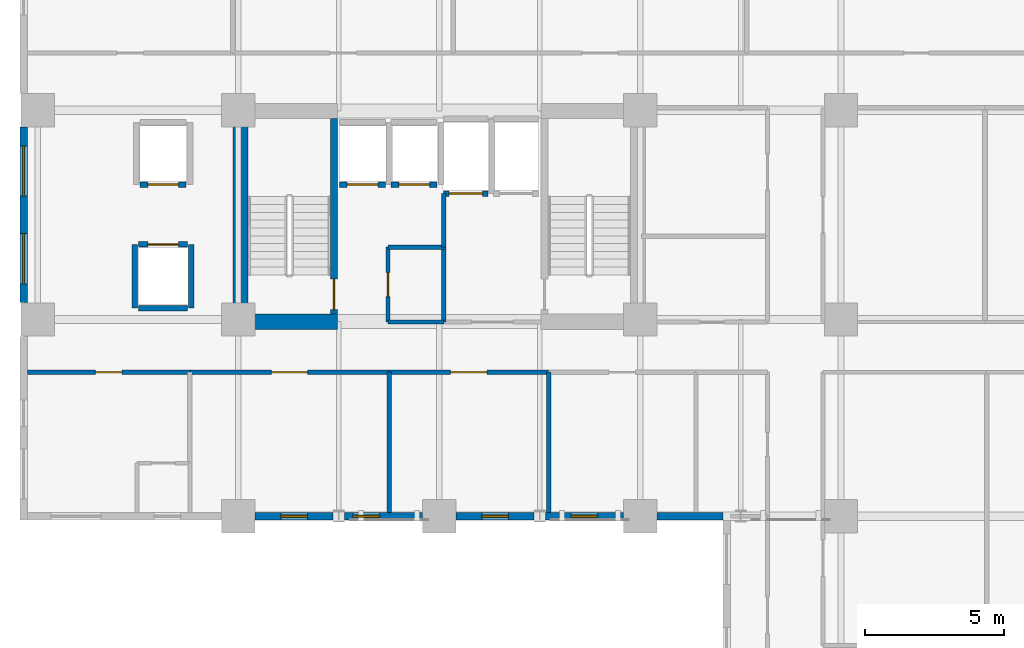
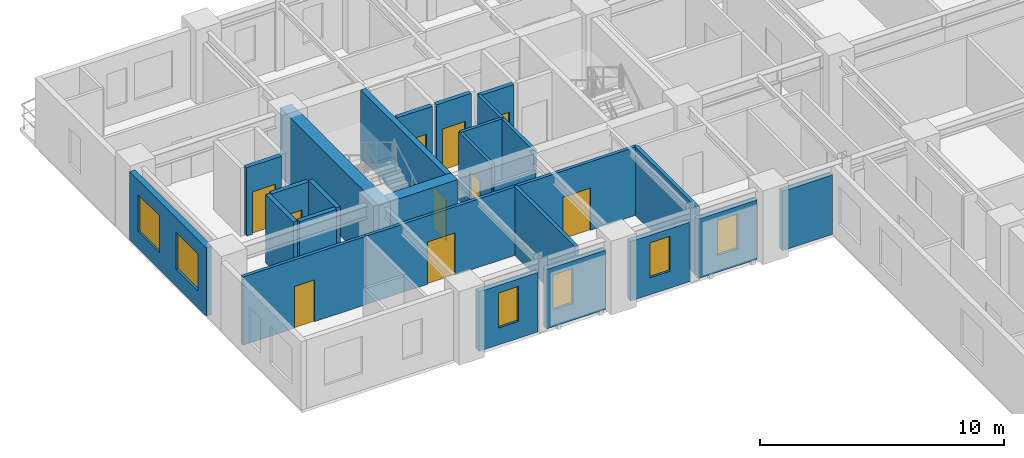
# One storey, part 3 of 11: 27 walls, 10 doors, 6 windows, 16 openings.
"""IFC4 building model written with IfcOpenShell, lengths in metres."""

from ifc_helpers import new_model, si_unit, direction, frame, frame_2d, origin, place, context, subcontext, project, spatial, rectangle, extrude, material, layer, layer_set, type_object, element, fill, save


model = new_model("IFC4")

# Units and contexts
model_context = context("Model", 3, precision=1e-05, world=origin(), true_north=direction((0.0, 1.0)))
body_context = subcontext(model_context, "Body", "Model", "MODEL_VIEW")
ifc_project = project(units=[si_unit("LENGTHUNIT", "METRE"), si_unit("AREAUNIT", "SQUARE_METRE"), si_unit("VOLUMEUNIT", "CUBIC_METRE"), si_unit("PLANEANGLEUNIT", "RADIAN"), si_unit("MASSUNIT", "GRAM", prefix="KILO")], contexts=[model_context])

# Site, building, storey
site_placement = place(None, origin())
site = spatial("IfcSite", under=ifc_project, at=site_placement, CompositionType="ELEMENT")
building_placement = place(site_placement, origin())
building = spatial("IfcBuilding", under=site, at=building_placement, Name="Kaliganga Portal Commons", CompositionType="ELEMENT")
storey_placement = place(building_placement, frame((0.0, 0.0, 104.5)))
storey = spatial("IfcBuildingStorey", under=building, at=storey_placement, Name="L26", CompositionType="ELEMENT", Elevation=104.5)

# Walls
ifc_material_1 = material(Name="Concrete C60/75", Category="concrete")
ifc_layer_1 = layer(ifc_material_1, 0.550048828125)
ifc_layer_set_1 = layer_set([ifc_layer_1], Name="Concrete C60/75")
wall_type_1 = type_object("IfcWallType", Name="WL-CORE-550", PredefinedType="SHEAR", material=ifc_layer_set_1)
wall_1_placement = place(storey_placement, frame((14.47509765625, 28.300048828125, 0.0), z_axis=(0.0, 0.0, 1.0), x_axis=(0.0, 1.0, 0.0)))
element("IfcWall", 1, at=wall_1_placement, inside=storey, type_object=wall_type_1, Name="Core A West Shear Wall L26", PredefinedType="SHEAR", context=body_context, shape_type="SweptSolid", body=[
    extrude(rectangle(XDim=8.099853515625, YDim=0.550048828125, at=frame_2d((4.0498046875, 0.0))), origin(), (0.0, 0.0, 1.0), 3.449951171875),
])
wall_2_placement = place(storey_placement, frame((14.75, 28.574951171875, 0.0), z_axis=(0.0, 0.0, 1.0), x_axis=(1.0, 0.0, 0.0)))
element("IfcWall", 2, at=wall_2_placement, inside=storey, type_object=wall_type_1, Name="Core A S-West Shear Wall L26", PredefinedType="SHEAR", context=body_context, shape_type="SweptSolid", body=[
    extrude(rectangle(XDim=3.199951171875, YDim=0.550048828125, at=frame_2d((1.60009765625, 0.0))), origin(), (0.0, 0.0, 1.0), 3.449951171875),
])

# Wall, openings, windows
ifc_material_2 = material(Name="Insulated Aluminium-Clad Spandrel Assembly", Category="aluminium")
ifc_layer_2 = layer(ifc_material_2, 0.260009765625)
ifc_layer_set_2 = layer_set([ifc_layer_2], Name="Insulated Aluminium-Clad Spandrel Assembly")
wall_type_2 = type_object("IfcWallType", Name="WL-EXT-SPAND-260", PredefinedType="STANDARD", material=ifc_layer_set_2)
wall_3_placement = place(storey_placement, frame((6.699951171875, 29.2509765625, 0.0), z_axis=(0.0, 0.0, 1.0), x_axis=(0.0, 1.0, 0.0)))
wall_3 = element("IfcWall", 3, at=wall_3_placement, inside=storey, type_object=wall_type_2, Name="Exterior Envelope Wall L26 P1-E03-S2", PredefinedType="STANDARD", context=body_context, shape_type="SweptSolid", body=[
    extrude(rectangle(XDim=6.298095703125, YDim=0.260009765625, at=frame_2d((3.14892578125, 0.0))), origin(), (0.0, 0.0, 1.0), 3.429931640625),
])
opening_1_placement = place(wall_3_placement, frame((0.674560546875, 0.0, 0.85009765625)))
opening_1 = element("IfcOpeningElement", 4, at=opening_1_placement, cuts=wall_3, Name="Opening W-01", PredefinedType="OPENING", context=body_context, shape_type="SweptSolid", body=[
    extrude(rectangle(XDim=1.800048828125, YDim=1.85009765625, at=frame_2d((0.89990234375, 0.925048828125))), frame((0.0, 0.14013671875, 0.0), z_axis=(0.0, -1.0, 0.0), x_axis=(1.0, 0.0, 0.0)), (0.0, 0.0, 1.0), 0.280029296875),
])
opening_2_placement = place(wall_3_placement, frame((3.823486328125, 0.0, 0.85009765625)))
opening_2 = element("IfcOpeningElement", 5, at=opening_2_placement, cuts=wall_3, Name="Opening W-01", PredefinedType="OPENING", context=body_context, shape_type="SweptSolid", body=[
    extrude(rectangle(XDim=1.800048828125, YDim=1.85009765625, at=frame_2d((0.89990234375, 0.925048828125))), frame((0.0, 0.14013671875, 0.0), z_axis=(0.0, -1.0, 0.0), x_axis=(1.0, 0.0, 0.0)), (0.0, 0.0, 1.0), 0.280029296875),
])
ifc_material_3 = material(Name="Thermally Broken Aluminium and Low-E Double Glazing", Category="aluminium")
window_type_1 = type_object("IfcWindowType", Name="WIN-STD-1800", PartitioningType="DOUBLE_PANEL_VERTICAL", PredefinedType="WINDOW", material=ifc_material_3)
window_1_placement = place(opening_1_placement, origin())
window_1 = element("IfcWindow", 6, at=window_1_placement, inside=storey, type_object=window_type_1, Name="Facade Window L26-P1E03S2-00", OverallHeight=1.85009765625, OverallWidth=1.800048828125, PartitioningType="SINGLE_PANEL", PredefinedType="WINDOW", context=body_context, shape_type="SweptSolid", body=[
    extrude(rectangle(XDim=1.800048828125, YDim=1.85009765625, at=frame_2d((0.89990234375, 0.925048828125))), frame((0.0, 0.030029296875, 0.0), z_axis=(0.0, -1.0, 0.0), x_axis=(1.0, 0.0, 0.0)), (0.0, 0.0, 1.0), 0.06005859375),
])
fill(opening_1, window_1)
window_2_placement = place(opening_2_placement, origin())
window_2 = element("IfcWindow", 7, at=window_2_placement, inside=storey, type_object=window_type_1, Name="Facade Window L26-P1E03S2-01", OverallHeight=1.85009765625, OverallWidth=1.800048828125, PartitioningType="SINGLE_PANEL", PredefinedType="WINDOW", context=body_context, shape_type="SweptSolid", body=[
    extrude(rectangle(XDim=1.800048828125, YDim=1.85009765625, at=frame_2d((0.89990234375, 0.925048828125))), frame((0.0, 0.030029296875, 0.0), z_axis=(0.0, -1.0, 0.0), x_axis=(1.0, 0.0, 0.0)), (0.0, 0.0, 1.0), 0.06005859375),
])
fill(opening_2, window_2)

# Wall, opening, window
wall_4_placement = place(storey_placement, frame((17.79443359375, 21.60009765625, 0.0), z_axis=(0.0, 0.0, 1.0), x_axis=(-1.0, 0.0, 0.0)))
wall_4 = element("IfcWall", 8, at=wall_4_placement, inside=storey, type_object=wall_type_2, Name="Exterior Envelope Wall L26 P1-E04-S2", PredefinedType="STANDARD", context=body_context, shape_type="SweptSolid", body=[
    extrude(rectangle(XDim=2.79345703125, YDim=0.260009765625, at=frame_2d((1.396728515625, 0.0))), origin(), (0.0, 0.0, 1.0), 2.97998046875),
])
opening_3_placement = place(wall_4_placement, frame((0.921630859375, 0.0, 0.85009765625)))
opening_3 = element("IfcOpeningElement", 9, at=opening_3_placement, cuts=wall_4, Name="Opening W-04", PredefinedType="OPENING", context=body_context, shape_type="SweptSolid", body=[
    extrude(rectangle(XDim=0.949951171875, YDim=1.75, at=frame_2d((0.47509765625, 0.875))), frame((0.0, 0.14013671875, 0.0), z_axis=(0.0, -1.0, 0.0), x_axis=(1.0, 0.0, 0.0)), (0.0, 0.0, 1.0), 0.280029296875),
])
window_type_2 = type_object("IfcWindowType", Name="WIN-NARROW-950", PartitioningType="SINGLE_PANEL", PredefinedType="WINDOW", material=ifc_material_3)
window_3_placement = place(opening_3_placement, origin())
window_3 = element("IfcWindow", 10, at=window_3_placement, inside=storey, type_object=window_type_2, Name="Facade Window L26-P1E04S2-00", OverallHeight=1.75, OverallWidth=0.949951171875, PartitioningType="SINGLE_PANEL", PredefinedType="WINDOW", context=body_context, shape_type="SweptSolid", body=[
    extrude(rectangle(XDim=0.949951171875, YDim=1.75, at=frame_2d((0.47509765625, 0.875))), frame((0.0, 0.030029296875, 0.0), z_axis=(0.0, -1.0, 0.0), x_axis=(1.0, 0.0, 0.0)), (0.0, 0.0, 1.0), 0.06005859375),
])
fill(opening_3, window_3)

wall_5_placement = place(storey_placement, frame((20.9990234375, 21.60009765625, 0.0), z_axis=(0.0, 0.0, 1.0), x_axis=(-1.0, 0.0, 0.0)))
wall_5 = element("IfcWall", 11, at=wall_5_placement, inside=storey, type_object=wall_type_2, Name="Exterior Envelope Wall L26 P1-E04-S3", PredefinedType="STANDARD", context=body_context, shape_type="SweptSolid", body=[
    extrude(rectangle(XDim=2.79345703125, YDim=0.260009765625, at=frame_2d((1.396728515625, 0.0))), origin(), (0.0, 0.0, 1.0), 2.97998046875),
])
opening_4_placement = place(wall_5_placement, frame((1.536376953125, 0.0, 0.85009765625)))
opening_4 = element("IfcOpeningElement", 12, at=opening_4_placement, cuts=wall_5, Name="Opening W-04", PredefinedType="OPENING", context=body_context, shape_type="SweptSolid", body=[
    extrude(rectangle(XDim=0.949951171875, YDim=1.75, at=frame_2d((0.47509765625, 0.875))), frame((0.0, 0.14013671875, 0.0), z_axis=(0.0, -1.0, 0.0), x_axis=(1.0, 0.0, 0.0)), (0.0, 0.0, 1.0), 0.280029296875),
])
window_4_placement = place(opening_4_placement, origin())
window_4 = element("IfcWindow", 13, at=window_4_placement, inside=storey, type_object=window_type_2, Name="Facade Window L26-P1E04S3-N4", OverallHeight=1.75, OverallWidth=0.949951171875, PartitioningType="SINGLE_PANEL", PredefinedType="WINDOW", context=body_context, shape_type="SweptSolid", body=[
    extrude(rectangle(XDim=0.949951171875, YDim=1.75, at=frame_2d((0.47509765625, 0.875))), frame((0.0, 0.030029296875, 0.0), z_axis=(0.0, -1.0, 0.0), x_axis=(1.0, 0.0, 0.0)), (0.0, 0.0, 1.0), 0.06005859375),
])
fill(opening_4, window_4)

wall_6_placement = place(storey_placement, frame((24.994384765625, 21.60009765625, 0.0), z_axis=(0.0, 0.0, 1.0), x_axis=(-1.0, 0.0, 0.0)))
wall_6 = element("IfcWall", 14, at=wall_6_placement, inside=storey, type_object=wall_type_2, Name="Exterior Envelope Wall L26 P1-E04-S4", PredefinedType="STANDARD", context=body_context, shape_type="SweptSolid", body=[
    extrude(rectangle(XDim=2.79345703125, YDim=0.260009765625, at=frame_2d((1.396728515625, 0.0))), origin(), (0.0, 0.0, 1.0), 2.97998046875),
])
opening_5_placement = place(wall_6_placement, frame((0.921630859375, 0.0, 0.85009765625)))
opening_5 = element("IfcOpeningElement", 15, at=opening_5_placement, cuts=wall_6, Name="Opening W-04", PredefinedType="OPENING", context=body_context, shape_type="SweptSolid", body=[
    extrude(rectangle(XDim=0.949951171875, YDim=1.75, at=frame_2d((0.47509765625, 0.875))), frame((0.0, 0.14013671875, 0.0), z_axis=(0.0, -1.0, 0.0), x_axis=(1.0, 0.0, 0.0)), (0.0, 0.0, 1.0), 0.280029296875),
])
window_5_placement = place(opening_5_placement, origin())
window_5 = element("IfcWindow", 16, at=window_5_placement, inside=storey, type_object=window_type_2, Name="Facade Window L26-P1E04S4-00", OverallHeight=1.75, OverallWidth=0.949951171875, PartitioningType="SINGLE_PANEL", PredefinedType="WINDOW", context=body_context, shape_type="SweptSolid", body=[
    extrude(rectangle(XDim=0.949951171875, YDim=1.75, at=frame_2d((0.47509765625, 0.875))), frame((0.0, 0.030029296875, 0.0), z_axis=(0.0, -1.0, 0.0), x_axis=(1.0, 0.0, 0.0)), (0.0, 0.0, 1.0), 0.06005859375),
])
fill(opening_5, window_5)

wall_7_placement = place(storey_placement, frame((28.198974609375, 21.60009765625, 0.0), z_axis=(0.0, 0.0, 1.0), x_axis=(-1.0, 0.0, 0.0)))
wall_7 = element("IfcWall", 17, at=wall_7_placement, inside=storey, type_object=wall_type_2, Name="Exterior Envelope Wall L26 P1-E04-S5", PredefinedType="STANDARD", context=body_context, shape_type="SweptSolid", body=[
    extrude(rectangle(XDim=2.79345703125, YDim=0.260009765625, at=frame_2d((1.396728515625, 0.0))), origin(), (0.0, 0.0, 1.0), 2.97998046875),
])
opening_6_placement = place(wall_7_placement, frame((0.921875, 0.0, 0.85009765625)))
opening_6 = element("IfcOpeningElement", 18, at=opening_6_placement, cuts=wall_7, Name="Opening W-04", PredefinedType="OPENING", context=body_context, shape_type="SweptSolid", body=[
    extrude(rectangle(XDim=0.949951171875, YDim=1.75, at=frame_2d((0.47509765625, 0.875))), frame((0.0, 0.14013671875, 0.0), z_axis=(0.0, -1.0, 0.0), x_axis=(1.0, 0.0, 0.0)), (0.0, 0.0, 1.0), 0.280029296875),
])
window_6_placement = place(opening_6_placement, origin())
window_6 = element("IfcWindow", 19, at=window_6_placement, inside=storey, type_object=window_type_2, Name="Facade Window L26-P1E04S5-00", OverallHeight=1.75, OverallWidth=0.949951171875, PartitioningType="SINGLE_PANEL", PredefinedType="WINDOW", context=body_context, shape_type="SweptSolid", body=[
    extrude(rectangle(XDim=0.949951171875, YDim=1.75, at=frame_2d((0.47509765625, 0.875))), frame((0.0, 0.030029296875, 0.0), z_axis=(0.0, -1.0, 0.0), x_axis=(1.0, 0.0, 0.0)), (0.0, 0.0, 1.0), 0.06005859375),
])
fill(opening_6, window_6)

# Wall
wall_8_placement = place(storey_placement, frame((31.764892578125, 21.60009765625, 0.0), z_axis=(0.0, 0.0, 1.0), x_axis=(-1.0, 0.0, 0.0)))
element("IfcWall", 20, at=wall_8_placement, inside=storey, type_object=wall_type_2, Name="Exterior Envelope Wall L26 P1-E04-S6", PredefinedType="STANDARD", context=body_context, shape_type="SweptSolid", body=[
    extrude(rectangle(XDim=2.364013671875, YDim=0.260009765625, at=frame_2d((1.18212890625, 0.0))), origin(), (0.0, 0.0, 1.0), 2.97998046875),
])

# Wall, opening, door
ifc_material_4 = material(Name="Fire-Rated Gypsum Board on Steel Stud", Category="steel")
ifc_layer_3 = layer(ifc_material_4, 0.14990234375)
ifc_layer_set_3 = layer_set([ifc_layer_3], Name="Fire-Rated Gypsum Board on Steel Stud")
wall_type_3 = type_object("IfcWallType", Name="WL-PART-CORR-150", PredefinedType="PARTITIONING", material=ifc_layer_set_3)
wall_9_placement = place(storey_placement, frame((12.659912109375, 26.760009765625, 0.0), z_axis=(0.0, 0.0, 1.0), x_axis=(1.0, 0.0, 0.0)))
wall_9 = element("IfcWall", 21, at=wall_9_placement, inside=storey, type_object=wall_type_3, Name="Interior Partition L26-022", PredefinedType="PARTITIONING", context=body_context, shape_type="SweptSolid", body=[
    extrude(rectangle(XDim=7.14013671875, YDim=0.14990234375, at=frame_2d((3.570068359375, 0.0))), origin(), (0.0, 0.0, 1.0), 3.429931640625),
])
opening_7_placement = place(wall_9_placement, frame((2.919921875, 0.0, 0.0)))
opening_7 = element("IfcOpeningElement", 22, at=opening_7_placement, cuts=wall_9, Name="Opening RD-03", PredefinedType="OPENING", context=body_context, shape_type="SweptSolid", body=[
    extrude(rectangle(XDim=1.300048828125, YDim=2.1201171875, at=frame_2d((0.64990234375, 1.06005859375))), frame((0.0, 0.0849609375, 0.0), z_axis=(0.0, -1.0, 0.0), x_axis=(1.0, 0.0, 0.0)), (0.0, 0.0, 1.0), 0.169921875),
])
ifc_material_5 = material(Name="Glazed Timber Seminar Vision Door", Category="wood")
door_type_1 = type_object("IfcDoorType", Name="DR-STUDY-1300", OperationType="DOUBLE_DOOR_SINGLE_SWING", PredefinedType="DOOR", material=ifc_material_5)
door_1_placement = place(opening_7_placement, origin())
door_1 = element("IfcDoor", 23, at=door_1_placement, inside=storey, type_object=door_type_1, Name="Interior Door L26-AS02", OperationType="DOUBLE_DOOR_SINGLE_SWING", OverallHeight=2.1201171875, OverallWidth=1.300048828125, PredefinedType="DOOR", context=body_context, shape_type="SweptSolid", body=[
    extrude(rectangle(XDim=1.300048828125, YDim=2.1201171875, at=frame_2d((0.64990234375, 1.06005859375))), frame((0.0, 0.02490234375, 0.0), z_axis=(0.0, -1.0, 0.0), x_axis=(1.0, 0.0, 0.0)), (0.0, 0.0, 1.0), 0.050048828125),
])
fill(opening_7, door_1)

wall_10_placement = place(storey_placement, frame((6.83203125, 26.760009765625, 0.0), z_axis=(0.0, 0.0, 1.0), x_axis=(1.0, 0.0, 0.0)))
wall_10 = element("IfcWall", 24, at=wall_10_placement, inside=storey, type_object=wall_type_3, Name="Interior Partition L26-025", PredefinedType="PARTITIONING", context=body_context, shape_type="SweptSolid", body=[
    extrude(rectangle(XDim=5.827880859375, YDim=0.14990234375, at=frame_2d((2.9140625, 0.0))), origin(), (0.0, 0.0, 1.0), 3.429931640625),
])
opening_8_placement = place(wall_10_placement, frame((2.43896484375, 0.0, 0.0)))
opening_8 = element("IfcOpeningElement", 25, at=opening_8_placement, cuts=wall_10, Name="Opening UD-01", PredefinedType="OPENING", context=body_context, shape_type="SweptSolid", body=[
    extrude(rectangle(XDim=0.949951171875, YDim=2.10009765625, at=frame_2d((0.47509765625, 1.050048828125))), frame((0.0, 0.0849609375, 0.0), z_axis=(0.0, -1.0, 0.0), x_axis=(1.0, 0.0, 0.0)), (0.0, 0.0, 1.0), 0.169921875),
])
ifc_material_6 = material(Name="Solid-Core Timber Acoustic Fire Door", Category="wood")
door_type_2 = type_object("IfcDoorType", Name="DR-UNIT-950", OperationType="NOTDEFINED", PredefinedType="DOOR", material=ifc_material_6)
door_2_placement = place(opening_8_placement, origin())
door_2 = element("IfcDoor", 26, at=door_2_placement, inside=storey, type_object=door_type_2, Name="Interior Door L26-AS01", OperationType="SINGLE_SWING_LEFT", OverallHeight=2.10009765625, OverallWidth=0.949951171875, PredefinedType="DOOR", context=body_context, shape_type="SweptSolid", body=[
    extrude(rectangle(XDim=0.949951171875, YDim=2.10009765625, at=frame_2d((0.47509765625, 1.050048828125))), frame((0.0, 0.02490234375, 0.0), z_axis=(0.0, -1.0, 0.0), x_axis=(1.0, 0.0, 0.0)), (0.0, 0.0, 1.0), 0.050048828125),
])
fill(opening_8, door_2)

wall_11_placement = place(storey_placement, frame((19.800048828125, 26.760009765625, 0.0), z_axis=(0.0, 0.0, 1.0), x_axis=(1.0, 0.0, 0.0)))
wall_11 = element("IfcWall", 27, at=wall_11_placement, inside=storey, type_object=wall_type_3, Name="Interior Partition L26-028", PredefinedType="PARTITIONING", context=body_context, shape_type="SweptSolid", body=[
    extrude(rectangle(XDim=5.719970703125, YDim=0.14990234375, at=frame_2d((2.85986328125, 0.0))), origin(), (0.0, 0.0, 1.0), 3.429931640625),
])
opening_9_placement = place(wall_11_placement, frame((2.2099609375, 0.0, 0.0)))
opening_9 = element("IfcOpeningElement", 28, at=opening_9_placement, cuts=wall_11, Name="Opening RD-03", PredefinedType="OPENING", context=body_context, shape_type="SweptSolid", body=[
    extrude(rectangle(XDim=1.300048828125, YDim=2.1201171875, at=frame_2d((0.64990234375, 1.06005859375))), frame((0.0, 0.0849609375, 0.0), z_axis=(0.0, -1.0, 0.0), x_axis=(1.0, 0.0, 0.0)), (0.0, 0.0, 1.0), 0.169921875),
])
door_3_placement = place(opening_9_placement, origin())
door_3 = element("IfcDoor", 29, at=door_3_placement, inside=storey, type_object=door_type_1, Name="Interior Door L26-AS03", OperationType="DOUBLE_DOOR_SINGLE_SWING", OverallHeight=2.1201171875, OverallWidth=1.300048828125, PredefinedType="DOOR", context=body_context, shape_type="SweptSolid", body=[
    extrude(rectangle(XDim=1.300048828125, YDim=2.1201171875, at=frame_2d((0.64990234375, 1.06005859375))), frame((0.0, 0.02490234375, 0.0), z_axis=(0.0, -1.0, 0.0), x_axis=(1.0, 0.0, 0.0)), (0.0, 0.0, 1.0), 0.050048828125),
])
fill(opening_9, door_3)

wall_12_placement = place(storey_placement, frame((19.760009765625, 28.56005859375, 0.0), z_axis=(0.0, 0.0, 1.0), x_axis=(0.0, 1.0, 0.0)))
wall_12 = element("IfcWall", 30, at=wall_12_placement, inside=storey, type_object=wall_type_3, Name="Interior Partition L26-040", PredefinedType="PARTITIONING", context=body_context, shape_type="SweptSolid", body=[
    extrude(rectangle(XDim=2.679931640625, YDim=0.14990234375, at=frame_2d((1.33984375, 0.0))), origin(), (0.0, 0.0, 1.0), 3.429931640625),
])
opening_10_placement = place(wall_12_placement, frame((0.909912109375, 0.0, 0.0)))
opening_10 = element("IfcOpeningElement", 31, at=opening_10_placement, cuts=wall_12, Name="Opening WD-02", PredefinedType="OPENING", context=body_context, shape_type="SweptSolid", body=[
    extrude(rectangle(XDim=0.860107421875, YDim=2.02001953125, at=frame_2d((0.43017578125, 1.010009765625))), frame((0.0, 0.0849609375, 0.0), z_axis=(0.0, -1.0, 0.0), x_axis=(1.0, 0.0, 0.0)), (0.0, 0.0, 1.0), 0.169921875),
])
ifc_material_7 = material(Name="Fire-Rated Utility Closet Door", Category="wood")
door_type_3 = type_object("IfcDoorType", Name="DR-STORE-800", OperationType="NOTDEFINED", PredefinedType="DOOR", material=ifc_material_7)
door_4_placement = place(opening_10_placement, origin())
door_4 = element("IfcDoor", 32, at=door_4_placement, inside=storey, type_object=door_type_3, Name="Interior Door L26-CIN_A1", OperationType="SINGLE_SWING_LEFT", OverallHeight=2.02001953125, OverallWidth=0.860107421875, PredefinedType="DOOR", context=body_context, shape_type="SweptSolid", body=[
    extrude(rectangle(XDim=0.860107421875, YDim=2.02001953125, at=frame_2d((0.43017578125, 1.010009765625))), frame((0.0, 0.02490234375, 0.0), z_axis=(0.0, -1.0, 0.0), x_axis=(1.0, 0.0, 0.0)), (0.0, 0.0, 1.0), 0.050048828125),
])
fill(opening_10, door_4)

# Walls
wall_13_placement = place(storey_placement, frame((21.760009765625, 28.56005859375, 0.0), z_axis=(0.0, 0.0, 1.0), x_axis=(0.0, 1.0, 0.0)))
element("IfcWall", 33, at=wall_13_placement, inside=storey, type_object=wall_type_3, Name="Interior Partition L26-041", PredefinedType="PARTITIONING", context=body_context, shape_type="SweptSolid", body=[
    extrude(rectangle(XDim=2.679931640625, YDim=0.14990234375, at=frame_2d((1.33984375, 0.0))), origin(), (0.0, 0.0, 1.0), 3.429931640625),
])
wall_14_placement = place(storey_placement, frame((19.760009765625, 28.56005859375, 0.0), z_axis=(0.0, 0.0, 1.0), x_axis=(1.0, 0.0, 0.0)))
element("IfcWall", 34, at=wall_14_placement, inside=storey, type_object=wall_type_3, Name="Interior Partition L26-044", PredefinedType="PARTITIONING", context=body_context, shape_type="SweptSolid", body=[
    extrude(rectangle(XDim=2.0, YDim=0.14990234375, at=frame_2d((1.0, 0.0))), origin(), (0.0, 0.0, 1.0), 2.429931640625),
])
wall_15_placement = place(storey_placement, frame((19.760009765625, 31.239990234375, 0.0), z_axis=(0.0, 0.0, 1.0), x_axis=(1.0, 0.0, 0.0)))
element("IfcWall", 35, at=wall_15_placement, inside=storey, type_object=wall_type_3, Name="Interior Partition L26-045", PredefinedType="PARTITIONING", context=body_context, shape_type="SweptSolid", body=[
    extrude(rectangle(XDim=2.0, YDim=0.14990234375, at=frame_2d((1.0, 0.0))), origin(), (0.0, 0.0, 1.0), 3.429931640625),
])
wall_16_placement = place(storey_placement, frame((21.760009765625, 31.239990234375, 0.0), z_axis=(0.0, 0.0, 1.0), x_axis=(0.0, 1.0, 0.0)))
element("IfcWall", 36, at=wall_16_placement, inside=storey, type_object=wall_type_3, Name="Interior Partition L26-079", PredefinedType="PARTITIONING", context=body_context, shape_type="SweptSolid", body=[
    extrude(rectangle(XDim=1.919921875, YDim=0.14990234375, at=frame_2d((0.9599609375, 0.0))), origin(), (0.0, 0.0, 1.0), 3.429931640625),
])
ifc_material_8 = material(Name="Twin-Stud Acoustic Gypsum Partition", Category="gypsum")
ifc_layer_4 = layer(ifc_material_8, 0.1650390625)
ifc_layer_set_4 = layer_set([ifc_layer_4], Name="Twin-Stud Acoustic Gypsum Partition")
wall_type_4 = type_object("IfcWallType", Name="WL-PART-UNIT-165", PredefinedType="PARTITIONING", material=ifc_layer_set_4)
for number, where, z_axis, x_axis, name in (
    (37, (19.800048828125, 21.73193359375, 0.0), (0.0, 0.0, 1.0), (0.0, 1.0, 0.0), "Interior Partition L26-062"),
    (38, (25.52001953125, 21.73193359375, 0.0), (0.0, 0.0, 1.0), (0.0, 1.0, 0.0), "Interior Partition L26-063"),
):
    element("IfcWall", number, at=place(storey_placement, frame(where, z_axis=z_axis, x_axis=x_axis)), inside=storey, type_object=wall_type_4, Name=name, PredefinedType="PARTITIONING", context=body_context, shape_type="SweptSolid", body=[
        extrude(rectangle(XDim=5.028076171875, YDim=0.1650390625, at=frame_2d((2.51416015625, 0.0))), origin(), (0.0, 0.0, 1.0), 3.429931640625),
    ])

# Wall, opening, door
ifc_material_9 = material(Name="Fire-Rated Shaftwall Masonry Assembly", Category="masonry")
ifc_layer_5 = layer(ifc_material_9, 0.199951171875)
ifc_layer_set_5 = layer_set([ifc_layer_5], Name="Fire-Rated Shaftwall Masonry Assembly")
wall_type_5 = type_object("IfcWallType", Name="WL-SHAFT-200", PredefinedType="PARTITIONING", material=ifc_layer_set_5)
wall_17_placement = place(storey_placement, frame((18.02490234375, 33.485107421875, 0.0), z_axis=(0.0, 0.0, 1.0), x_axis=(1.0, 0.0, 0.0)))
wall_17 = element("IfcWall", 39, at=wall_17_placement, inside=storey, type_object=wall_type_5, Name="Lift PL-A1 Hoistway Shaft Wall L26-S", PredefinedType="PARTITIONING", context=body_context, shape_type="SweptSolid", body=[
    extrude(rectangle(XDim=1.650146484375, YDim=0.199951171875, at=frame_2d((0.8251953125, 0.0))), origin(), (0.0, 0.0, 1.0), 3.429931640625),
])
opening_11_placement = place(wall_17_placement, frame((0.27490234375, 0.0, 0.0)))
opening_11 = element("IfcOpeningElement", 40, at=opening_11_placement, cuts=wall_17, Name="Opening LD-01", PredefinedType="OPENING", context=body_context, shape_type="SweptSolid", body=[
    extrude(rectangle(XDim=1.10009765625, YDim=2.1201171875, at=frame_2d((0.550048828125, 1.06005859375))), frame((0.0, 0.10986328125, 0.0), z_axis=(0.0, -1.0, 0.0), x_axis=(1.0, 0.0, 0.0)), (0.0, 0.0, 1.0), 0.219970703125),
])
ifc_material_10 = material(Name="Brushed Stainless Steel 316 Lift Landing Door", Category="steel")
door_type_4 = type_object("IfcDoorType", Name="DR-LIFT-1100", OperationType="SLIDING_TO_LEFT", PredefinedType="DOOR", material=ifc_material_10)
door_5_placement = place(opening_11_placement, origin())
door_5 = element("IfcDoor", 41, at=door_5_placement, inside=storey, type_object=door_type_4, Name="Lift PL-A1 Sliding Landing Door L26", OperationType="SLIDING_TO_LEFT", OverallHeight=2.1201171875, OverallWidth=1.10009765625, PredefinedType="DOOR", context=body_context, shape_type="SweptSolid", body=[
    extrude(rectangle(XDim=1.10009765625, YDim=2.1201171875, at=frame_2d((0.550048828125, 1.06005859375))), frame((0.0, 0.02490234375, 0.0), z_axis=(0.0, -1.0, 0.0), x_axis=(1.0, 0.0, 0.0)), (0.0, 0.0, 1.0), 0.050048828125),
])
fill(opening_11, door_5)

wall_18_placement = place(storey_placement, frame((19.875, 33.485107421875, 0.0), z_axis=(0.0, 0.0, 1.0), x_axis=(1.0, 0.0, 0.0)))
wall_18 = element("IfcWall", 42, at=wall_18_placement, inside=storey, type_object=wall_type_5, Name="Lift PL-A2 Hoistway Shaft Wall L26-S", PredefinedType="PARTITIONING", context=body_context, shape_type="SweptSolid", body=[
    extrude(rectangle(XDim=1.64990234375, YDim=0.199951171875, at=frame_2d((0.824951171875, 0.0))), origin(), (0.0, 0.0, 1.0), 3.429931640625),
])
opening_12_placement = place(wall_18_placement, frame((0.27490234375, 0.0, 0.0)))
opening_12 = element("IfcOpeningElement", 43, at=opening_12_placement, cuts=wall_18, Name="Opening LD-01", PredefinedType="OPENING", context=body_context, shape_type="SweptSolid", body=[
    extrude(rectangle(XDim=1.10009765625, YDim=2.1201171875, at=frame_2d((0.550048828125, 1.06005859375))), frame((0.0, 0.10986328125, 0.0), z_axis=(0.0, -1.0, 0.0), x_axis=(1.0, 0.0, 0.0)), (0.0, 0.0, 1.0), 0.219970703125),
])
door_6_placement = place(opening_12_placement, origin())
door_6 = element("IfcDoor", 44, at=door_6_placement, inside=storey, type_object=door_type_4, Name="Lift PL-A2 Sliding Landing Door L26", OperationType="SLIDING_TO_LEFT", OverallHeight=2.1201171875, OverallWidth=1.10009765625, PredefinedType="DOOR", context=body_context, shape_type="SweptSolid", body=[
    extrude(rectangle(XDim=1.10009765625, YDim=2.1201171875, at=frame_2d((0.550048828125, 1.06005859375))), frame((0.0, 0.02490234375, 0.0), z_axis=(0.0, -1.0, 0.0), x_axis=(1.0, 0.0, 0.0)), (0.0, 0.0, 1.0), 0.050048828125),
])
fill(opening_12, door_6)

# Wall
wall_19_placement = place(storey_placement, frame((10.824951171875, 29.06005859375, 0.0), z_axis=(0.0, 0.0, 1.0), x_axis=(1.0, 0.0, 0.0)))
element("IfcWall", 45, at=wall_19_placement, inside=storey, type_object=wall_type_5, Name="Lift SH-1 Hoistway Shaft Wall L26-S", PredefinedType="PARTITIONING", context=body_context, shape_type="SweptSolid", body=[
    extrude(rectangle(XDim=1.75, YDim=0.199951171875, at=frame_2d((0.875, 0.0))), origin(), (0.0, 0.0, 1.0), 3.429931640625),
])

# Wall, opening, door
wall_20_placement = place(storey_placement, frame((10.824951171875, 31.340087890625, 0.0), z_axis=(0.0, 0.0, 1.0), x_axis=(1.0, 0.0, 0.0)))
wall_20 = element("IfcWall", 46, at=wall_20_placement, inside=storey, type_object=wall_type_5, Name="Lift SH-1 Hoistway Shaft Wall L26-N", PredefinedType="PARTITIONING", context=body_context, shape_type="SweptSolid", body=[
    extrude(rectangle(XDim=1.75, YDim=0.199951171875, at=frame_2d((0.875, 0.0))), origin(), (0.0, 0.0, 1.0), 3.429931640625),
])
opening_13_placement = place(wall_20_placement, frame((0.324951171875, 0.0, 0.0)))
opening_13 = element("IfcOpeningElement", 47, at=opening_13_placement, cuts=wall_20, Name="Opening LD-01", PredefinedType="OPENING", context=body_context, shape_type="SweptSolid", body=[
    extrude(rectangle(XDim=1.10009765625, YDim=2.1201171875, at=frame_2d((0.550048828125, 1.06005859375))), frame((0.0, 0.10986328125, 0.0), z_axis=(0.0, -1.0, 0.0), x_axis=(1.0, 0.0, 0.0)), (0.0, 0.0, 1.0), 0.219970703125),
])
door_7_placement = place(opening_13_placement, origin())
door_7 = element("IfcDoor", 48, at=door_7_placement, inside=storey, type_object=door_type_4, Name="Lift SH-1 Sliding Landing Door L26", OperationType="SLIDING_TO_LEFT", OverallHeight=2.1201171875, OverallWidth=1.10009765625, PredefinedType="DOOR", context=body_context, shape_type="SweptSolid", body=[
    extrude(rectangle(XDim=1.10009765625, YDim=2.1201171875, at=frame_2d((0.550048828125, 1.06005859375))), frame((0.0, 0.02490234375, 0.0), z_axis=(0.0, -1.0, 0.0), x_axis=(1.0, 0.0, 0.0)), (0.0, 0.0, 1.0), 0.050048828125),
])
fill(opening_13, door_7)

# Walls
for number, where, z_axis, x_axis, name in (
    (49, (10.68505859375, 29.06005859375, 0.0), (0.0, 0.0, 1.0), (0.0, 1.0, 0.0), "Lift SH-1 Hoistway Shaft Wall L26-W"),
    (50, (12.715087890625, 29.06005859375, 0.0), (0.0, 0.0, 1.0), (0.0, 1.0, 0.0), "Lift SH-1 Hoistway Shaft Wall L26-E"),
):
    element("IfcWall", number, at=place(storey_placement, frame(where, z_axis=z_axis, x_axis=x_axis)), inside=storey, type_object=wall_type_5, Name=name, PredefinedType="PARTITIONING", context=body_context, shape_type="SweptSolid", body=[
        extrude(rectangle(XDim=2.280029296875, YDim=0.199951171875, at=frame_2d((1.14013671875, 0.0))), origin(), (0.0, 0.0, 1.0), 3.429931640625),
    ])

# Wall, opening, door
wall_21_placement = place(storey_placement, frame((10.875, 33.485107421875, 0.0), z_axis=(0.0, 0.0, 1.0), x_axis=(1.0, 0.0, 0.0)))
wall_21 = element("IfcWall", 51, at=wall_21_placement, inside=storey, type_object=wall_type_5, Name="Lift PL-OBS Hoistway Shaft Wall L26-S", PredefinedType="PARTITIONING", context=body_context, shape_type="SweptSolid", body=[
    extrude(rectangle(XDim=1.64990234375, YDim=0.199951171875, at=frame_2d((0.824951171875, 0.0))), origin(), (0.0, 0.0, 1.0), 3.429931640625),
])
opening_14_placement = place(wall_21_placement, frame((0.27490234375, 0.0, 0.0)))
opening_14 = element("IfcOpeningElement", 52, at=opening_14_placement, cuts=wall_21, Name="Opening LD-01", PredefinedType="OPENING", context=body_context, shape_type="SweptSolid", body=[
    extrude(rectangle(XDim=1.10009765625, YDim=2.1201171875, at=frame_2d((0.550048828125, 1.06005859375))), frame((0.0, 0.10986328125, 0.0), z_axis=(0.0, -1.0, 0.0), x_axis=(1.0, 0.0, 0.0)), (0.0, 0.0, 1.0), 0.219970703125),
])
door_8_placement = place(opening_14_placement, origin())
door_8 = element("IfcDoor", 53, at=door_8_placement, inside=storey, type_object=door_type_4, Name="Lift PL-OBS Sliding Landing Door L26", OperationType="SLIDING_TO_LEFT", OverallHeight=2.1201171875, OverallWidth=1.10009765625, PredefinedType="DOOR", context=body_context, shape_type="SweptSolid", body=[
    extrude(rectangle(XDim=1.10009765625, YDim=2.1201171875, at=frame_2d((0.550048828125, 1.06005859375))), frame((0.0, 0.02490234375, 0.0), z_axis=(0.0, -1.0, 0.0), x_axis=(1.0, 0.0, 0.0)), (0.0, 0.0, 1.0), 0.050048828125),
])
fill(opening_14, door_8)

wall_22_placement = place(storey_placement, frame((21.75, 33.159912109375, 0.0), z_axis=(0.0, 0.0, 1.0), x_axis=(1.0, 0.0, 0.0)))
wall_22 = element("IfcWall", 54, at=wall_22_placement, inside=storey, type_object=wall_type_5, Name="Lift FFL-1 Hoistway Shaft Wall L26-S", PredefinedType="PARTITIONING", context=body_context, shape_type="SweptSolid", body=[
    extrude(rectangle(XDim=1.60009765625, YDim=0.199951171875, at=frame_2d((0.800048828125, 0.0))), origin(), (0.0, 0.0, 1.0), 3.429931640625),
])
opening_15_placement = place(wall_22_placement, frame((0.199951171875, 0.0, 0.0)))
opening_15 = element("IfcOpeningElement", 55, at=opening_15_placement, cuts=wall_22, Name="Opening LD-02", PredefinedType="OPENING", context=body_context, shape_type="SweptSolid", body=[
    extrude(rectangle(XDim=1.199951171875, YDim=2.1201171875, at=frame_2d((0.60009765625, 1.06005859375))), frame((0.0, 0.10986328125, 0.0), z_axis=(0.0, -1.0, 0.0), x_axis=(1.0, 0.0, 0.0)), (0.0, 0.0, 1.0), 0.219970703125),
])
ifc_material_11 = material(Name="Brushed Stainless Steel 316 Stretcher Lift Landing Door", Category="steel")
door_type_5 = type_object("IfcDoorType", Name="DR-LIFT-1200", OperationType="SLIDING_TO_RIGHT", PredefinedType="DOOR", material=ifc_material_11)
door_9_placement = place(opening_15_placement, origin())
door_9 = element("IfcDoor", 56, at=door_9_placement, inside=storey, type_object=door_type_5, Name="Lift FFL-1 Sliding Landing Door L26", OperationType="SLIDING_TO_RIGHT", OverallHeight=2.1201171875, OverallWidth=1.199951171875, PredefinedType="DOOR", context=body_context, shape_type="SweptSolid", body=[
    extrude(rectangle(XDim=1.199951171875, YDim=2.1201171875, at=frame_2d((0.60009765625, 1.06005859375))), frame((0.0, 0.02490234375, 0.0), z_axis=(0.0, -1.0, 0.0), x_axis=(1.0, 0.0, 0.0)), (0.0, 0.0, 1.0), 0.050048828125),
])
fill(opening_15, door_9)

ifc_material_12 = material(Name="Concrete C50/60", Category="concrete")
ifc_layer_6 = layer(ifc_material_12, 0.25)
ifc_layer_set_6 = layer_set([ifc_layer_6], Name="Concrete C50/60")
wall_type_6 = type_object("IfcWallType", Name="WL-STAIR-250", PredefinedType="SHEAR", material=ifc_layer_set_6)
wall_23_placement = place(storey_placement, frame((17.824951171875, 28.85009765625, 0.0), z_axis=(0.0, 0.0, 1.0), x_axis=(0.0, 1.0, 0.0)))
wall_23 = element("IfcWall", 57, at=wall_23_placement, inside=storey, type_object=wall_type_6, Name="Stair A1 Enclosure Shear Wall L26", PredefinedType="SHEAR", context=body_context, shape_type="SweptSolid", body=[
    extrude(rectangle(XDim=7.0, YDim=0.25, at=frame_2d((3.5, 0.0))), origin(), (0.0, 0.0, 1.0), 3.449951171875),
])
opening_16_placement = place(wall_23_placement, frame((0.14990234375, 0.0, 0.0)))
opening_16 = element("IfcOpeningElement", 58, at=opening_16_placement, cuts=wall_23, Name="Opening SD-01", PredefinedType="OPENING", context=body_context, shape_type="SweptSolid", body=[
    extrude(rectangle(XDim=1.10009765625, YDim=2.080078125, at=frame_2d((0.550048828125, 1.0400390625))), frame((0.0, 0.135009765625, 0.0), z_axis=(0.0, -1.0, 0.0), x_axis=(1.0, 0.0, 0.0)), (0.0, 0.0, 1.0), 0.27001953125),
])
ifc_material_13 = material(Name="Galvanized Steel Fire Door Leaf and Frame", Category="steel")
door_type_6 = type_object("IfcDoorType", Name="DR-STAIR-1100", OperationType="NOTDEFINED", PredefinedType="DOOR", material=ifc_material_13)
door_10_placement = place(opening_16_placement, origin())
door_10 = element("IfcDoor", 59, at=door_10_placement, inside=storey, type_object=door_type_6, Name="Protected Stair ST-A1 Fire Door L26", OperationType="SINGLE_SWING_RIGHT", OverallHeight=2.080078125, OverallWidth=1.10009765625, PredefinedType="DOOR", context=body_context, shape_type="SweptSolid", body=[
    extrude(rectangle(XDim=1.10009765625, YDim=2.080078125, at=frame_2d((0.550048828125, 1.0400390625))), frame((0.0, 0.02490234375, 0.0), z_axis=(0.0, -1.0, 0.0), x_axis=(1.0, 0.0, 0.0)), (0.0, 0.0, 1.0), 0.050048828125),
])
fill(opening_16, door_10)

save(model, "model.ifc")
